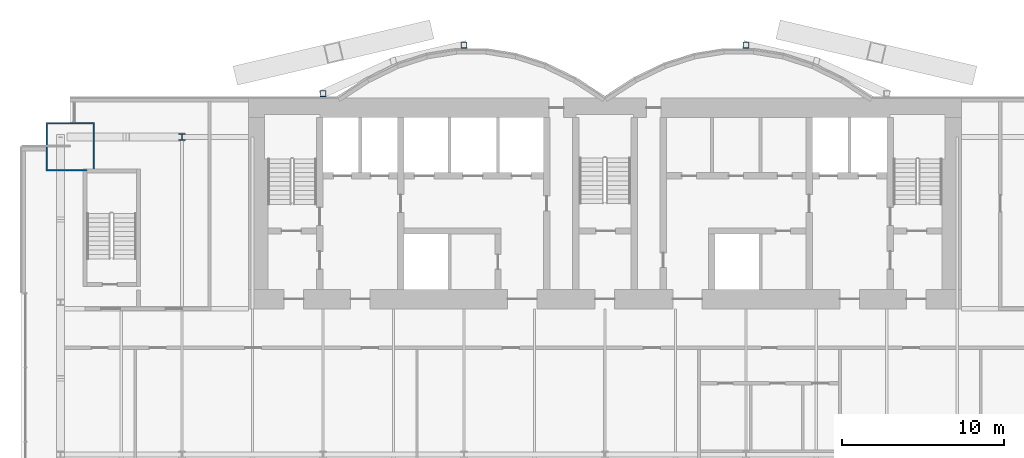
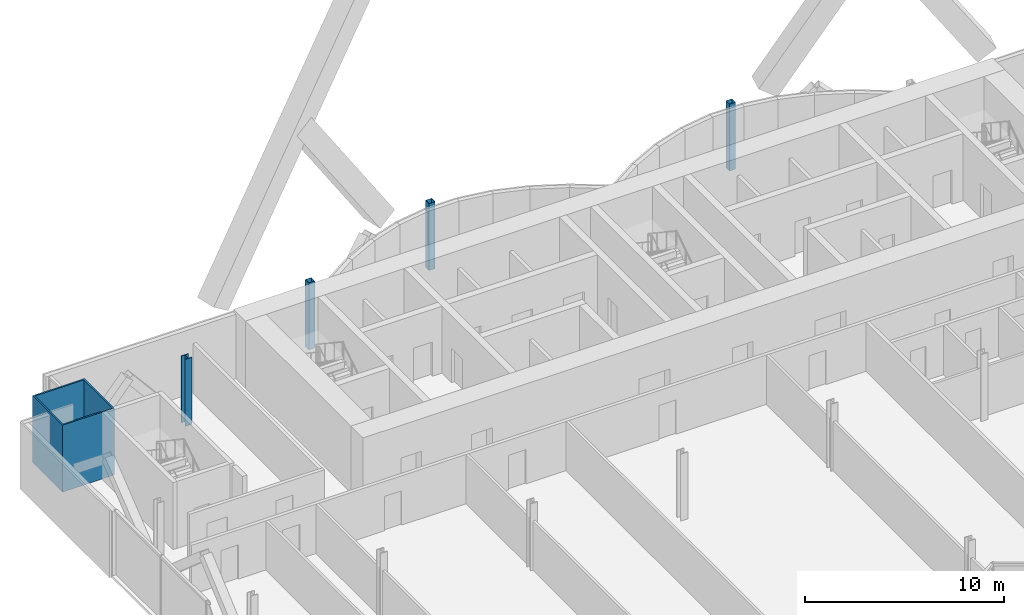
# One storey, part 2 of 22: 5 columns.
"""IFC4 building model written with IfcOpenShell, lengths in metres."""

from ifc_helpers import new_model, si_unit, direction, frame, origin, origin_2d, place, context, subcontext, project, spatial, hollow_rectangle, i_section, extrude, material, material_profile, profile_set, type_object, element, save


model = new_model("IFC4")

# Units and contexts
model_context = context("Model", 3, precision=1e-05, world=origin(), true_north=direction((0.0, 1.0)))
body_context = subcontext(model_context, "Body", "Model", "MODEL_VIEW")
ifc_project = project(units=[si_unit("LENGTHUNIT", "METRE"), si_unit("AREAUNIT", "SQUARE_METRE"), si_unit("VOLUMEUNIT", "CUBIC_METRE"), si_unit("PLANEANGLEUNIT", "RADIAN"), si_unit("MASSUNIT", "GRAM", prefix="KILO")], contexts=[model_context])

# Site, building, storey
site_placement = place(None, origin())
site = spatial("IfcSite", under=ifc_project, at=site_placement, CompositionType="ELEMENT")
building_placement = place(site_placement, origin())
building = spatial("IfcBuilding", under=site, at=building_placement, Name="Bicima Exchange Tower", CompositionType="ELEMENT")
storey_placement = place(building_placement, frame((0.0, 0.0, 102.199951171875)))
storey = spatial("IfcBuildingStorey", under=building, at=storey_placement, Name="L21", CompositionType="ELEMENT", Elevation=102.199951171875)

# Columns
ifc_material_1 = material(Name="Steel ASTM A572 Gr 50", Category="steel")
ifc_material_profile_1 = material_profile(ifc_material_1, hollow_rectangle(XDim=3.0, YDim=3.0, WallThickness=0.090087890625, at=origin_2d()))
ifc_profile_set_1 = profile_set([ifc_material_profile_1], Name="Steel ASTM A572 Gr 50")
column_type_1 = type_object("IfcColumnType", Name="Mega column BOX 3000x3000x90", PredefinedType="COLUMN", material=ifc_profile_set_1)
column_1_placement = place(storey_placement, frame((-33.0, -3.0, 0.0), z_axis=(0.0, 0.0, 1.0), x_axis=(1.0, 0.0, 0.0)))
element("IfcColumn", 1, at=column_1_placement, inside=storey, type_object=column_type_1, Name="Mega column mega-33.0r", PredefinedType="COLUMN", context=body_context, shape_type="SweptSolid", body=[
    extrude(hollow_rectangle(XDim=3.0, YDim=3.0, WallThickness=0.090087890625, at=origin_2d()), origin(), (0.0, 0.0, 1.0), 4.10009765625),
])
ifc_material_2 = material(Name="Steel ASTM A992 Gr 50", Category="steel")
ifc_material_profile_2 = material_profile(ifc_material_2, i_section(OverallWidth=0.398681640625, OverallDepth=0.393798828125, WebThickness=0.022705078125, FlangeThickness=0.03662109375, at=origin_2d()))
ifc_profile_set_2 = profile_set([ifc_material_profile_2], Name="Steel ASTM A992 Gr 50")
column_type_2 = type_object("IfcColumnType", Name="Perimeter column W14x193", PredefinedType="COLUMN", material=ifc_profile_set_2)
column_2_placement = place(storey_placement, frame((-26.10009765625, -2.39990234375, 0.0), z_axis=(0.0, 0.0, 1.0), x_axis=(1.0, 0.0, 0.0)))
element("IfcColumn", 2, at=column_2_placement, inside=storey, type_object=column_type_2, Name="Perimeter column grav-26.1r", PredefinedType="COLUMN", context=body_context, shape_type="SweptSolid", body=[
    extrude(i_section(OverallWidth=0.398681640625, OverallDepth=0.393798828125, WebThickness=0.022705078125, FlangeThickness=0.03662109375, at=origin_2d()), origin(), (0.0, 0.0, 1.0), 4.10009765625),
])
ifc_material_profile_3 = material_profile(ifc_material_1, hollow_rectangle(XDim=0.355712890625, YDim=0.355712890625, WallThickness=0.01171875, at=origin_2d()))
ifc_profile_set_3 = profile_set([ifc_material_profile_3], Name="Steel ASTM A572 Gr 50")
column_type_3 = type_object("IfcColumnType", Name="Rear pilaster HSS14x14x1/2", PredefinedType="COLUMN", material=ifc_profile_set_3)
for number, where, z_axis, x_axis, name in (
    (3, (-8.699951171875, 3.26904296875, 0.0), (0.0, 0.0, 1.0), (1.0, 0.0, 0.0), "Rear pilaster rexo-8.7r"),
    (4, (-17.39990234375, 0.278076171875, 0.0), (0.0, 0.0, 1.0), (1.0, 0.0, 0.0), "Rear pilaster rexo-17.4r"),
    (5, (8.699951171875, 3.26904296875, 0.0), (0.0, 0.0, 1.0), (1.0, 0.0, 0.0), "Rear pilaster rexo+8.7r"),
):
    element("IfcColumn", number, at=place(storey_placement, frame(where, z_axis=z_axis, x_axis=x_axis)), inside=storey, type_object=column_type_3, Name=name, PredefinedType="COLUMN", context=body_context, shape_type="SweptSolid", body=[
        extrude(hollow_rectangle(XDim=0.355712890625, YDim=0.355712890625, WallThickness=0.01171875, at=origin_2d()), origin(), (0.0, 0.0, 1.0), 4.10009765625),
    ])

save(model, "model.ifc")
